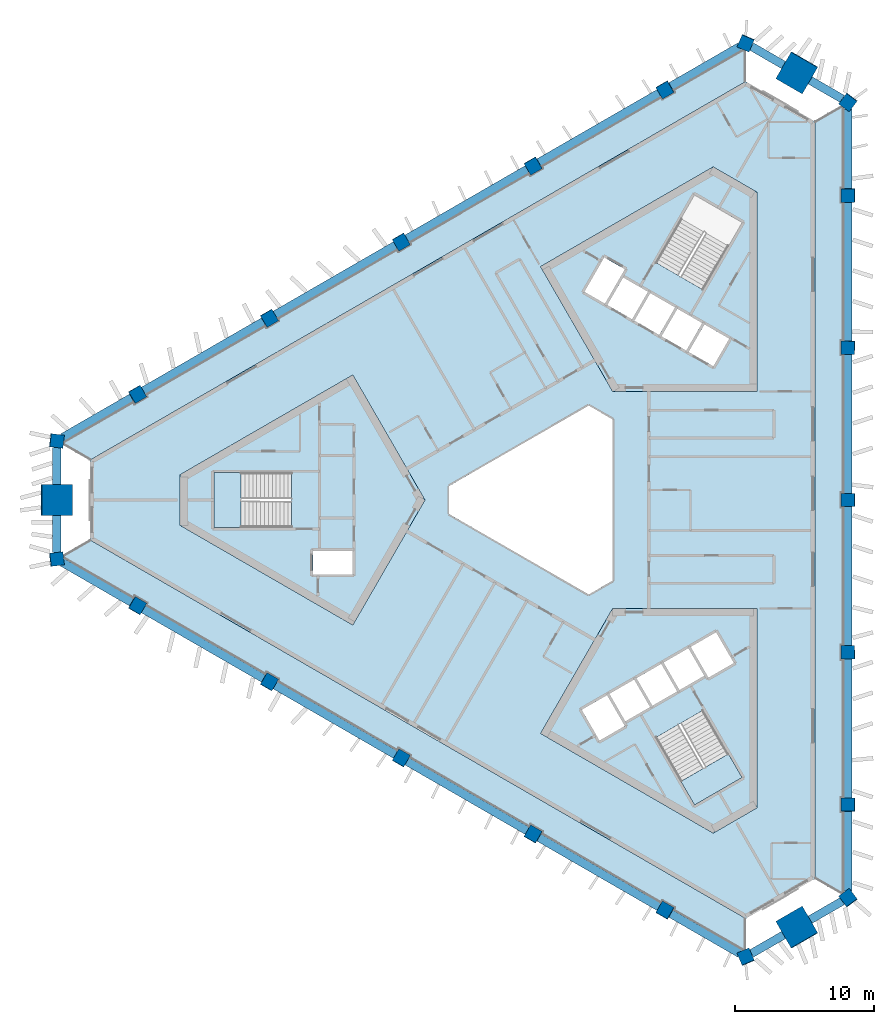
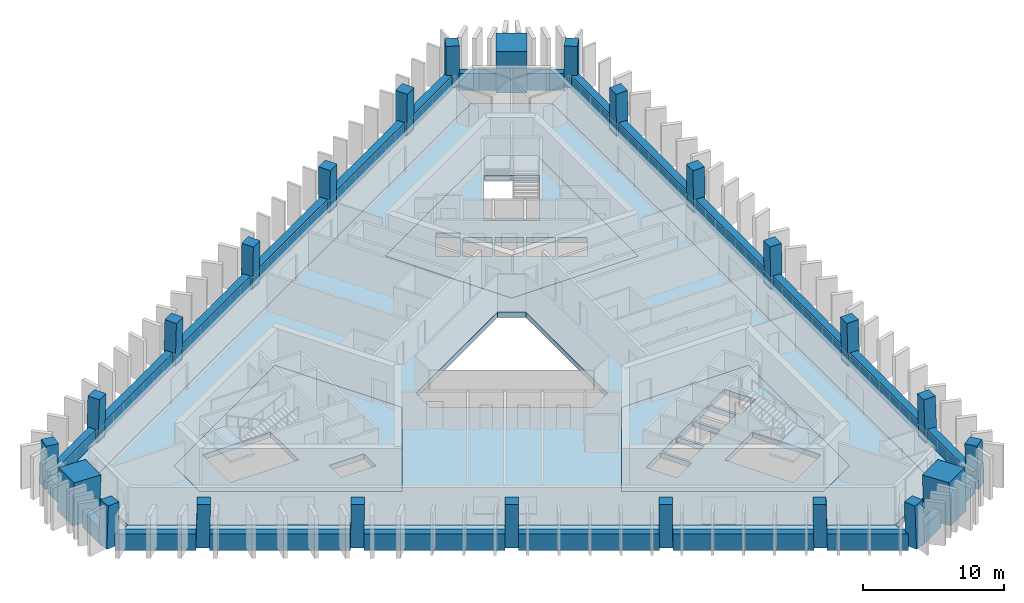
# One storey, part 1 of 10: 24 beams, 24 columns, 9 slabs, 2 elements without a shape of their own.
"""IFC4 building model written with IfcOpenShell, lengths in metres."""

from ifc_helpers import new_model, si_unit, direction, frame, origin, origin_2d, place, context, subcontext, project, spatial, polyline, rectangle, outline, extrude, material, layer, layer_set, material_profile, profile_set, type_object, element, aggregate, save


model = new_model("IFC4")

# Units and contexts
model_context = context("Model", 3, precision=1e-05, world=origin(), true_north=direction((0.0, 1.0)))
body_context = subcontext(model_context, "Body", "Model", "MODEL_VIEW")
ifc_project = project(units=[si_unit("LENGTHUNIT", "METRE"), si_unit("AREAUNIT", "SQUARE_METRE"), si_unit("VOLUMEUNIT", "CUBIC_METRE"), si_unit("PLANEANGLEUNIT", "RADIAN"), si_unit("MASSUNIT", "GRAM", prefix="KILO")], contexts=[model_context])

# Site, building, storey
site_placement = place(None, origin())
site = spatial("IfcSite", under=ifc_project, at=site_placement, CompositionType="ELEMENT")
building_placement = place(site_placement, origin())
building = spatial("IfcBuilding", under=site, at=building_placement, Name="Jabali Bay Hotel Tower and Convention Centre", CompositionType="ELEMENT")
storey_placement = place(building_placement, frame((0.0, 0.0, 160.0)))
storey = spatial("IfcBuildingStorey", under=building, at=storey_placement, Name="L38", CompositionType="ELEMENT", Elevation=160.0)

# Columns
ifc_material_1 = material(Name="Concrete C60", Category="concrete")
ifc_material_profile_1 = material_profile(ifc_material_1, rectangle(XDim=0.949951171875, YDim=0.949951171875, at=origin_2d()), Name="Frame column 950")
ifc_profile_set_1 = profile_set([ifc_material_profile_1], Name="Concrete C60")
column_type_1 = type_object("IfcColumnType", Name="Frame column 950", PredefinedType="COLUMN", material=ifc_profile_set_1)
column_1_placement = place(storey_placement, frame((83.259521484375, 109.508544921875, 0.0), z_axis=(-0.00837646992, -0.028097450282, 0.999570091609), x_axis=(0.86617163682, 0.499292783589, 0.021293469065)))
element("IfcColumn", 1, at=column_1_placement, inside=storey, type_object=column_type_1, Name="FC4 F1.1 L38", PredefinedType="COLUMN", context=body_context, shape_type="SweptSolid", body=[
    extrude(rectangle(XDim=0.949951171875, YDim=0.949951171875, at=origin_2d()), origin(), (0.0, 0.0, 1.0), 3.70166015625),
])
column_2_placement = place(storey_placement, frame((73.7734375, 104.03173828125, 0.0), z_axis=(0.000857578916, -0.022824792675, 0.999739112668), x_axis=(0.866060219769, 0.499825848733, 0.01066848966)))
element("IfcColumn", 2, at=column_2_placement, inside=storey, type_object=column_type_1, Name="FC4 F1.2 L38", PredefinedType="COLUMN", context=body_context, shape_type="SweptSolid", body=[
    extrude(rectangle(XDim=0.949951171875, YDim=0.949951171875, at=origin_2d()), origin(), (0.0, 0.0, 1.0), 3.700927734375),
])
column_3_placement = place(storey_placement, frame((64.287353515625, 98.554931640625, 0.0), z_axis=(0.010093620709, -0.017482414954, 0.999796221231), x_axis=(-0.499897086036, 0.865849517735, 0.020187025824)))
element("IfcColumn", 3, at=column_3_placement, inside=storey, type_object=column_type_1, Name="FC4 F1.3 L38", PredefinedType="COLUMN", context=body_context, shape_type="SweptSolid", body=[
    extrude(rectangle(XDim=0.949951171875, YDim=0.949951171875, at=origin_2d()), origin(), (0.0, 0.0, 1.0), 3.70068359375),
])
column_4_placement = place(storey_placement, frame((54.801025390625, 93.078125, 0.0), z_axis=(0.019328516974, -0.012138044789, 0.999739504221), x_axis=(-0.500208848309, 0.865669585777, 0.020181088508)))
element("IfcColumn", 4, at=column_4_placement, inside=storey, type_object=column_type_1, Name="FC4 F1.4 L38", PredefinedType="COLUMN", context=body_context, shape_type="SweptSolid", body=[
    extrude(rectangle(XDim=0.949951171875, YDim=0.949951171875, at=origin_2d()), origin(), (0.0, 0.0, 1.0), 3.700927734375),
])
for number, where, z_axis, x_axis, name in (
    (5, (45.31494140625, 87.601318359375, 0.0), (0.02855911485, -0.006793507689, 0.999569019734), (-0.500413533487, 0.865551301346, 0.020180194262), "FC4 F1.5 L38"),
    (6, (45.31494140625, 72.398681640625, 0.0), (0.02855911485, 0.006793507689, 0.999569019734), (-0.865315360121, 0.500774193615, 0.021319815836), "FC4 F2.1 L38"),
):
    element("IfcColumn", number, at=place(storey_placement, frame(where, z_axis=z_axis, x_axis=x_axis)), inside=storey, type_object=column_type_1, Name=name, PredefinedType="COLUMN", context=body_context, shape_type="SweptSolid", body=[
        extrude(rectangle(XDim=0.949951171875, YDim=0.949951171875, at=origin_2d()), origin(), (0.0, 0.0, 1.0), 3.70166015625),
    ])
column_5_placement = place(storey_placement, frame((54.801025390625, 66.921875, 0.0), z_axis=(0.019328516974, 0.012138044789, 0.999739504221), x_axis=(-0.865689041461, 0.500468616527, 0.010660551878)))
element("IfcColumn", 7, at=column_5_placement, inside=storey, type_object=column_type_1, Name="FC4 F2.2 L38", PredefinedType="COLUMN", context=body_context, shape_type="SweptSolid", body=[
    extrude(rectangle(XDim=0.949951171875, YDim=0.949951171875, at=origin_2d()), origin(), (0.0, 0.0, 1.0), 3.700927734375),
])
column_6_placement = place(storey_placement, frame((64.287353515625, 61.445068359375, 0.0), z_axis=(0.010093620709, 0.017482414954, 0.999796221231), x_axis=(-0.866025993948, 0.499998977805, 1.48331e-07)))
element("IfcColumn", 8, at=column_6_placement, inside=storey, type_object=column_type_1, Name="FC4 F2.3 L38", PredefinedType="COLUMN", context=body_context, shape_type="SweptSolid", body=[
    extrude(rectangle(XDim=0.949951171875, YDim=0.949951171875, at=origin_2d()), origin(), (0.0, 0.0, 1.0), 3.70068359375),
])
column_7_placement = place(storey_placement, frame((73.7734375, 55.96826171875, 0.0), z_axis=(0.000857578916, 0.022824792675, 0.999739112668), x_axis=(-0.499938956565, -0.865825126557, 0.020196285069)))
element("IfcColumn", 9, at=column_7_placement, inside=storey, type_object=column_type_1, Name="FC4 F2.4 L38", PredefinedType="COLUMN", context=body_context, shape_type="SweptSolid", body=[
    extrude(rectangle(XDim=0.949951171875, YDim=0.949951171875, at=origin_2d()), origin(), (0.0, 0.0, 1.0), 3.700927734375),
])
for number, where, z_axis, x_axis, name in (
    (10, (83.259521484375, 50.491455078125, 0.0), (-0.00837646992, 0.028097450282, 0.999570091609), (-0.49967642562, -0.865977626468, 0.020154903518), "FC4 F2.5 L38"),
    (11, (96.425537109375, 58.0927734375, 0.0), (-0.020182659751, 0.021303918626, 0.999569308901), (0.000228267203, -0.99977282903, 0.021312865295), "FC4 F0.1 L38"),
):
    element("IfcColumn", number, at=place(storey_placement, frame(where, z_axis=z_axis, x_axis=x_axis)), inside=storey, type_object=column_type_1, Name=name, PredefinedType="COLUMN", context=body_context, shape_type="SweptSolid", body=[
        extrude(rectangle(XDim=0.949951171875, YDim=0.949951171875, at=origin_2d()), origin(), (0.0, 0.0, 1.0), 3.70166015625),
    ])
column_8_placement = place(storey_placement, frame((96.425537109375, 69.04638671875, 0.0), z_axis=(-0.020186102726, 0.010620792611, 0.999739826165), x_axis=(0.001532768534, -0.999942070948, 0.010653889845)))
element("IfcColumn", 12, at=column_8_placement, inside=storey, type_object=column_type_1, Name="FC4 F0.2 L38", PredefinedType="COLUMN", context=body_context, shape_type="SweptSolid", body=[
    extrude(rectangle(XDim=0.949951171875, YDim=0.949951171875, at=origin_2d()), origin(), (0.0, 0.0, 1.0), 3.700927734375),
])
column_9_placement = place(storey_placement, frame((96.425537109375, 80.0, 0.0), z_axis=(-0.020187241331, 0.0, 0.99979621688), x_axis=(0.0, -1.0, 0.0)))
element("IfcColumn", 13, at=column_9_placement, inside=storey, type_object=column_type_1, Name="FC4 F0.3 L38", PredefinedType="COLUMN", context=body_context, shape_type="SweptSolid", body=[
    extrude(rectangle(XDim=0.949951171875, YDim=0.949951171875, at=origin_2d()), origin(), (0.0, 0.0, 1.0), 3.70068359375),
])
column_10_placement = place(storey_placement, frame((96.425537109375, 90.95361328125, 0.0), z_axis=(-0.020186102726, -0.010620792611, 0.999739826165), x_axis=(0.999795064939, -0.001747430263, 0.020168654147)))
element("IfcColumn", 14, at=column_10_placement, inside=storey, type_object=column_type_1, Name="FC4 F0.4 L38", PredefinedType="COLUMN", context=body_context, shape_type="SweptSolid", body=[
    extrude(rectangle(XDim=0.949951171875, YDim=0.949951171875, at=origin_2d()), origin(), (0.0, 0.0, 1.0), 3.700927734375),
])
column_11_placement = place(storey_placement, frame((96.425537109375, 101.9072265625, 0.0), z_axis=(-0.020182659751, -0.021303918626, 0.999569308901), x_axis=(0.999796283319, -0.000658319199, 0.020173211851)))
element("IfcColumn", 15, at=column_11_placement, inside=storey, type_object=column_type_1, Name="FC4 F0.5 L38", PredefinedType="COLUMN", context=body_context, shape_type="SweptSolid", body=[
    extrude(rectangle(XDim=0.949951171875, YDim=0.949951171875, at=origin_2d()), origin(), (0.0, 0.0, 1.0), 3.70166015625),
])
for number, where, z_axis, x_axis, name in (
    (16, (96.425537109375, 51.38818359375, 0.0), (-0.02017878048, 0.028949296179, 0.999377183584), (-0.799917418116, -0.60010882849, 0.001232137629), "FC4 V0 L38"),
    (17, (96.425537109375, 108.61181640625, 0.0), (-0.02017878048, -0.028949296179, 0.999377183584), (0.599770740377, 0.799394353382, 0.03526651057), "FC4 V1 L38"),
    (18, (89.06591796875, 112.86083984375, 0.0), (-0.015035173594, -0.031916772016, 0.999377437818), (0.918968245753, -0.39432961562, 0.001231885587), "FC4 V2 L38"),
    (19, (39.508544921875, 84.2490234375, 0.0), (0.03521388716, -0.002967462401, 0.999375393092), (-0.992307157174, 0.118655822236, 0.035317158293), "FC4 V3 L38"),
    (20, (39.508544921875, 75.7509765625, 0.0), (0.03521388716, 0.002967462401, 0.999375393092), (-0.11868651133, 0.992931009696, 0.001233698556), "FC4 V4 L38"),
    (21, (89.06591796875, 47.13916015625, 0.0), (-0.015035173594, 0.031916772016, 0.999377437818), (0.394044803102, -0.918414652491, 0.035259314214), "FC4 V5 L38"),
):
    element("IfcColumn", number, at=place(storey_placement, frame(where, z_axis=z_axis, x_axis=x_axis)), inside=storey, type_object=column_type_1, Name=name, PredefinedType="COLUMN", context=body_context, shape_type="SweptSolid", body=[
        extrude(rectangle(XDim=0.949951171875, YDim=0.949951171875, at=origin_2d()), origin(), (0.0, 0.0, 1.0), 3.7021484375),
    ])
ifc_material_2 = material(Name="Concrete C70", Category="concrete")
ifc_material_profile_2 = material_profile(ifc_material_2, rectangle(XDim=2.199951171875, YDim=2.199951171875, at=origin_2d()), Name="Mega column 2200")
ifc_profile_set_2 = profile_set([ifc_material_profile_2], Name="Concrete C70")
column_type_2 = type_object("IfcColumnType", Name="Mega column 2200", PredefinedType="COLUMN", material=ifc_profile_set_2)
for number, where, z_axis, x_axis, name in (
    (22, (92.74560546875, 110.736328125, 0.0), (-0.017607037296, -0.030466109479, 0.999380712447), (0.500067085975, 0.865271470658, 0.035187946645), "MC4 M1 L38"),
    (23, (39.508544921875, 80.0, 0.0), (0.035214042205, 0.0, 0.999379793288), (0.0, 1.0, 0.0), "MC4 M0 L38"),
    (24, (92.74560546875, 49.263671875, 0.0), (-0.017607037296, 0.030466109479, 0.999380712447), (-0.865807658641, -0.500376956142, 2.31533e-07), "MC4 M2 L38"),
):
    element("IfcColumn", number, at=place(storey_placement, frame(where, z_axis=z_axis, x_axis=x_axis)), inside=storey, type_object=column_type_2, Name=name, PredefinedType="COLUMN", context=body_context, shape_type="SweptSolid", body=[
        extrude(rectangle(XDim=2.199951171875, YDim=2.199951171875, at=origin_2d()), origin(), (0.0, 0.0, 1.0), 3.7021484375),
    ])

# Beams
ifc_material_profile_3 = material_profile(ifc_material_1, rectangle(XDim=0.60009765625, YDim=1.449951171875, at=origin_2d()), Name="Spandrel 600x1450")
ifc_profile_set_3 = profile_set([ifc_material_profile_3], Name="Concrete C60")
beam_type = type_object("IfcBeamType", Name="Spandrel 600x1450", PredefinedType="SPANDREL", material=ifc_profile_set_3)
beam_1_placement = place(storey_placement, frame((91.786376953125, 111.27490234375, 0.375), z_axis=(-0.866019783401, 0.500009734663, 0.0), x_axis=(-0.500009734663, -0.866019783401, 0.0)))
element("IfcBeam", 25, at=beam_1_placement, inside=storey, type_object=beam_type, Name="Spandrel M1-V2 L38", PredefinedType="SPANDREL", context=body_context, shape_type="SweptSolid", body=[
    extrude(rectangle(XDim=0.60009765625, YDim=1.449951171875, at=origin_2d()), origin(), (0.0, 0.0, 1.0), 2.6728515625),
])
beam_2_placement = place(storey_placement, frame((88.64892578125, 112.611328125, 0.375), z_axis=(-0.866037856685, -0.499978430324, 0.0), x_axis=(0.499978430324, -0.866037856685, 0.0)))
element("IfcBeam", 26, at=beam_2_placement, inside=storey, type_object=beam_type, Name="Spandrel V2-F1.1 L38", PredefinedType="SPANDREL", context=body_context, shape_type="SweptSolid", body=[
    extrude(rectangle(XDim=0.60009765625, YDim=1.449951171875, at=origin_2d()), origin(), (0.0, 0.0, 1.0), 5.751708984375),
])
for number, where, z_axis, x_axis, name in (
    (27, (82.844970703125, 109.260498046875, 0.375), (-0.866027427249, -0.49999649524, 0.0), (0.49999649524, -0.866027427249, 0.0), "Spandrel F1.1-F1.2 L38"),
    (28, (73.3623046875, 103.78564453125, 0.375), (-0.866027427249, -0.49999649524, 0.0), (0.49999649524, -0.866027427249, 0.0), "Spandrel F1.2-F1.3 L38"),
):
    element("IfcBeam", number, at=place(storey_placement, frame(where, z_axis=z_axis, x_axis=x_axis)), inside=storey, type_object=beam_type, Name=name, PredefinedType="SPANDREL", context=body_context, shape_type="SweptSolid", body=[
        extrude(rectangle(XDim=0.60009765625, YDim=1.449951171875, at=origin_2d()), origin(), (0.0, 0.0, 1.0), 9.99951171875),
    ])
for number, where, z_axis, x_axis, name in (
    (29, (63.879638671875, 98.31103515625, 0.375), (-0.866016855193, -0.500014806302, 0.0), (0.500014806302, -0.866016855193, 0.0), "Spandrel F1.3-F1.4 L38"),
    (30, (54.39697265625, 92.836181640625, 0.375), (-0.866016855193, -0.500014806302, 0.0), (0.500014806302, -0.866016855193, 0.0), "Spandrel F1.4-F1.5 L38"),
):
    element("IfcBeam", number, at=place(storey_placement, frame(where, z_axis=z_axis, x_axis=x_axis)), inside=storey, type_object=beam_type, Name=name, PredefinedType="SPANDREL", context=body_context, shape_type="SweptSolid", body=[
        extrude(rectangle(XDim=0.60009765625, YDim=1.449951171875, at=origin_2d()), origin(), (0.0, 0.0, 1.0), 9.999755859375),
    ])
beam_3_placement = place(storey_placement, frame((44.914306640625, 87.361328125, 0.375), z_axis=(-0.866019477104, -0.500010265171, 0.0), x_axis=(0.500010265171, -0.866019477104, 0.0)))
element("IfcBeam", 31, at=beam_3_placement, inside=storey, type_object=beam_type, Name="Spandrel F1.5-V3 L38", PredefinedType="SPANDREL", context=body_context, shape_type="SweptSolid", body=[
    extrude(rectangle(XDim=0.60009765625, YDim=1.449951171875, at=origin_2d()), origin(), (0.0, 0.0, 1.0), 5.751953125),
])
for number, where, z_axis, x_axis, name in (
    (32, (39.521728515625, 83.77294921875, 0.375), (0.0, -1.0, 0.0), (1.0, 0.0, 0.0), "Spandrel V3-M0 L38"),
    (33, (39.521728515625, 78.89990234375, 0.375), (0.0, -1.0, 0.0), (1.0, 0.0, 0.0), "Spandrel M0-V4 L38"),
):
    element("IfcBeam", number, at=place(storey_placement, frame(where, z_axis=z_axis, x_axis=x_axis)), inside=storey, type_object=beam_type, Name=name, PredefinedType="SPANDREL", context=body_context, shape_type="SweptSolid", body=[
        extrude(rectangle(XDim=0.60009765625, YDim=1.449951171875, at=origin_2d()), origin(), (0.0, 0.0, 1.0), 2.6728515625),
    ])
beam_4_placement = place(storey_placement, frame((39.93310546875, 75.5146484375, 0.375), z_axis=(0.866019477104, -0.500010265171, 0.0), x_axis=(0.500010265171, 0.866019477104, 0.0)))
element("IfcBeam", 34, at=beam_4_placement, inside=storey, type_object=beam_type, Name="Spandrel V4-F2.1 L38", PredefinedType="SPANDREL", context=body_context, shape_type="SweptSolid", body=[
    extrude(rectangle(XDim=0.60009765625, YDim=1.449951171875, at=origin_2d()), origin(), (0.0, 0.0, 1.0), 5.751953125),
])
for number, where, z_axis, x_axis, name in (
    (35, (45.737060546875, 72.163818359375, 0.375), (0.866016855193, -0.500014806302, 0.0), (0.500014806302, 0.866016855193, 0.0), "Spandrel F2.1-F2.2 L38"),
    (36, (55.2197265625, 66.68896484375, 0.375), (0.866016855193, -0.500014806302, 0.0), (0.500014806302, 0.866016855193, 0.0), "Spandrel F2.2-F2.3 L38"),
):
    element("IfcBeam", number, at=place(storey_placement, frame(where, z_axis=z_axis, x_axis=x_axis)), inside=storey, type_object=beam_type, Name=name, PredefinedType="SPANDREL", context=body_context, shape_type="SweptSolid", body=[
        extrude(rectangle(XDim=0.60009765625, YDim=1.449951171875, at=origin_2d()), origin(), (0.0, 0.0, 1.0), 9.999755859375),
    ])
for number, where, z_axis, x_axis, name in (
    (37, (64.702392578125, 61.214111328125, 0.375), (0.866027427249, -0.49999649524, 0.0), (0.49999649524, 0.866027427249, 0.0), "Spandrel F2.3-F2.4 L38"),
    (38, (74.18505859375, 55.7392578125, 0.375), (0.866027427249, -0.49999649524, 0.0), (0.49999649524, 0.866027427249, 0.0), "Spandrel F2.4-F2.5 L38"),
):
    element("IfcBeam", number, at=place(storey_placement, frame(where, z_axis=z_axis, x_axis=x_axis)), inside=storey, type_object=beam_type, Name=name, PredefinedType="SPANDREL", context=body_context, shape_type="SweptSolid", body=[
        extrude(rectangle(XDim=0.60009765625, YDim=1.449951171875, at=origin_2d()), origin(), (0.0, 0.0, 1.0), 9.99951171875),
    ])
beam_5_placement = place(storey_placement, frame((83.667724609375, 50.264404296875, 0.375), z_axis=(0.866037856685, -0.499978430324, 0.0), x_axis=(0.499978430324, 0.866037856685, 0.0)))
element("IfcBeam", 39, at=beam_5_placement, inside=storey, type_object=beam_type, Name="Spandrel F2.5-V5 L38", PredefinedType="SPANDREL", context=body_context, shape_type="SweptSolid", body=[
    extrude(rectangle(XDim=0.60009765625, YDim=1.449951171875, at=origin_2d()), origin(), (0.0, 0.0, 1.0), 5.751708984375),
])
beam_6_placement = place(storey_placement, frame((89.4716796875, 47.388671875, 0.375), z_axis=(0.866019783401, 0.500009734663, 0.0), x_axis=(-0.500009734663, 0.866019783401, 0.0)))
element("IfcBeam", 40, at=beam_6_placement, inside=storey, type_object=beam_type, Name="Spandrel V5-M2 L38", PredefinedType="SPANDREL", context=body_context, shape_type="SweptSolid", body=[
    extrude(rectangle(XDim=0.60009765625, YDim=1.449951171875, at=origin_2d()), origin(), (0.0, 0.0, 1.0), 2.6728515625),
])
beam_7_placement = place(storey_placement, frame((93.691650390625, 49.824951171875, 0.375), z_axis=(0.866042617247, 0.499970184224, 0.0), x_axis=(-0.499970184224, 0.866042617247, 0.0)))
element("IfcBeam", 41, at=beam_7_placement, inside=storey, type_object=beam_type, Name="Spandrel M2-V0 L38", PredefinedType="SPANDREL", context=body_context, shape_type="SweptSolid", body=[
    extrude(rectangle(XDim=0.60009765625, YDim=1.449951171875, at=origin_2d()), origin(), (0.0, 0.0, 1.0), 2.673095703125),
])
beam_8_placement = place(storey_placement, frame((96.41796875, 51.8740234375, 0.375), z_axis=(0.0, 1.0, 0.0), x_axis=(-1.0, 0.0, 0.0)))
element("IfcBeam", 42, at=beam_8_placement, inside=storey, type_object=beam_type, Name="Spandrel V0-F0.1 L38", PredefinedType="SPANDREL", context=body_context, shape_type="SweptSolid", body=[
    extrude(rectangle(XDim=0.60009765625, YDim=1.449951171875, at=origin_2d()), origin(), (0.0, 0.0, 1.0), 5.751708984375),
])
beam_9_placement = place(storey_placement, frame((96.41796875, 58.57568359375, 0.375), z_axis=(0.0, 1.0, 0.0), x_axis=(-1.0, 0.0, 0.0)))
element("IfcBeam", 43, at=beam_9_placement, inside=storey, type_object=beam_type, Name="Spandrel F0.1-F0.2 L38", PredefinedType="SPANDREL", context=body_context, shape_type="SweptSolid", body=[
    extrude(rectangle(XDim=0.60009765625, YDim=1.449951171875, at=origin_2d()), origin(), (0.0, 0.0, 1.0), 9.999755859375),
])
for number, where, z_axis, x_axis, name in (
    (44, (96.41796875, 69.525390625, 0.375), (0.0, 1.0, 0.0), (-1.0, 0.0, 0.0), "Spandrel F0.2-F0.3 L38"),
    (45, (96.41796875, 80.47509765625, 0.375), (0.0, 1.0, 0.0), (-1.0, 0.0, 0.0), "Spandrel F0.3-F0.4 L38"),
):
    element("IfcBeam", number, at=place(storey_placement, frame(where, z_axis=z_axis, x_axis=x_axis)), inside=storey, type_object=beam_type, Name=name, PredefinedType="SPANDREL", context=body_context, shape_type="SweptSolid", body=[
        extrude(rectangle(XDim=0.60009765625, YDim=1.449951171875, at=origin_2d()), origin(), (0.0, 0.0, 1.0), 9.99951171875),
    ])
beam_10_placement = place(storey_placement, frame((96.41796875, 91.424560546875, 0.375), z_axis=(0.0, 1.0, 0.0), x_axis=(-1.0, 0.0, 0.0)))
element("IfcBeam", 46, at=beam_10_placement, inside=storey, type_object=beam_type, Name="Spandrel F0.4-F0.5 L38", PredefinedType="SPANDREL", context=body_context, shape_type="SweptSolid", body=[
    extrude(rectangle(XDim=0.60009765625, YDim=1.449951171875, at=origin_2d()), origin(), (0.0, 0.0, 1.0), 9.999755859375),
])
beam_11_placement = place(storey_placement, frame((96.41796875, 102.374267578125, 0.375), z_axis=(0.0, 1.0, 0.0), x_axis=(-1.0, 0.0, 0.0)))
element("IfcBeam", 47, at=beam_11_placement, inside=storey, type_object=beam_type, Name="Spandrel F0.5-V1 L38", PredefinedType="SPANDREL", context=body_context, shape_type="SweptSolid", body=[
    extrude(rectangle(XDim=0.60009765625, YDim=1.449951171875, at=origin_2d()), origin(), (0.0, 0.0, 1.0), 5.751708984375),
])
beam_12_placement = place(storey_placement, frame((96.006591796875, 108.838623046875, 0.375), z_axis=(-0.866042617247, 0.499970184224, 0.0), x_axis=(-0.499970184224, -0.866042617247, 0.0)))
element("IfcBeam", 48, at=beam_12_placement, inside=storey, type_object=beam_type, Name="Spandrel V1-M1 L38", PredefinedType="SPANDREL", context=body_context, shape_type="SweptSolid", body=[
    extrude(rectangle(XDim=0.60009765625, YDim=1.449951171875, at=origin_2d()), origin(), (0.0, 0.0, 1.0), 2.673095703125),
])

# Slabs
ifc_material_3 = material(Name="Concrete C40", Category="concrete")
ifc_layer_1 = layer(ifc_material_3, 0.449951171875)
ifc_layer_set_1 = layer_set([ifc_layer_1], Name="Concrete C40")
slab_type_1 = type_object("IfcSlabType", Name="Core floor slab 450", PredefinedType="FLOOR", material=ifc_layer_set_1)
slab_1_placement = place(storey_placement, frame((0.0, 0.0, -0.449951171875)))
element("IfcSlab", 49, at=slab_1_placement, inside=storey, type_object=slab_type_1, Name="Core floor slab 1 L38", PredefinedType="FLOOR", context=body_context, shape_type="SweptSolid", body=[
    extrude(outline(polyline([(66.0, 80.0), (60.81005859375, 88.9892578125), (48.39697265625, 81.82275390625), (48.39697265625, 78.17724609375), (60.81005859375, 71.0107421875), (66.0, 80.0)]), holes=[polyline([(60.800048828125, 76.35009765625), (57.949951171875, 76.35009765625), (57.949951171875, 74.64990234375), (60.800048828125, 74.64990234375), (60.800048828125, 76.35009765625)]), polyline([(50.820068359375, 81.97509765625), (50.820068359375, 78.02490234375), (56.409912109375, 78.02490234375), (56.409912109375, 81.97509765625), (50.820068359375, 81.97509765625)])]), origin(), (0.0, 0.0, 1.0), 0.449951171875),
])
slab_2_placement = place(storey_placement, frame((0.0, 0.0, -0.449951171875)))
element("IfcSlab", 50, at=slab_2_placement, inside=storey, type_object=slab_type_1, Name="Core floor slab 2 L38", PredefinedType="FLOOR", context=body_context, shape_type="SweptSolid", body=[
    extrude(outline(polyline([(79.5, 87.794189453125), (89.8798828125, 87.794189453125), (89.8798828125, 102.127685546875), (86.72314453125, 103.9501953125), (74.31005859375, 96.78369140625), (79.5, 87.794189453125)]), holes=[polyline([(84.957763671875, 90.6474609375), (86.733154296875, 89.62255859375), (87.873291015625, 91.59716796875), (86.097900390625, 92.6220703125), (84.957763671875, 90.6474609375)]), polyline([(84.1494140625, 93.7470703125), (83.00927734375, 91.7724609375), (84.78466796875, 90.74755859375), (85.924560546875, 92.72216796875), (84.1494140625, 93.7470703125)]), polyline([(82.20068359375, 94.8720703125), (81.060791015625, 92.8974609375), (82.836181640625, 91.87255859375), (83.97607421875, 93.84716796875), (82.20068359375, 94.8720703125)]), polyline([(79.1123046875, 94.0224609375), (80.887451171875, 92.99755859375), (82.027587890625, 94.97216796875), (80.252197265625, 95.9970703125), (79.1123046875, 94.0224609375)]), polyline([(78.891845703125, 97.440673828125), (77.466796875, 94.97265625), (78.93896484375, 94.12255859375), (80.364013671875, 96.5908203125), (78.891845703125, 97.440673828125)]), polyline([(82.584716796875, 97.0869140625), (86.00537109375, 95.11181640625), (88.80029296875, 99.952880859375), (85.379638671875, 101.927978515625), (82.584716796875, 97.0869140625)])]), origin(), (0.0, 0.0, 1.0), 0.449951171875),
])
slab_3_placement = place(storey_placement, frame((0.0, 0.0, -0.449951171875)))
element("IfcSlab", 51, at=slab_3_placement, inside=storey, type_object=slab_type_1, Name="Core floor slab 3 L38", PredefinedType="FLOOR", context=body_context, shape_type="SweptSolid", body=[
    extrude(outline(polyline([(79.5, 72.205810546875), (74.31005859375, 63.21630859375), (86.72314453125, 56.0498046875), (89.8798828125, 57.872314453125), (89.8798828125, 72.205810546875), (79.5, 72.205810546875)]), holes=[polyline([(82.584716796875, 62.9130859375), (85.379638671875, 58.072021484375), (88.80029296875, 60.047119140625), (86.00537109375, 64.88818359375), (82.584716796875, 62.9130859375)]), polyline([(80.365478515625, 63.756591796875), (79.090576171875, 65.96484375), (77.27197265625, 64.9150390625), (78.546875, 62.70654296875), (80.365478515625, 63.756591796875)]), polyline([(82.17919921875, 65.115478515625), (81.0390625, 67.08984375), (79.263671875, 66.06494140625), (80.40380859375, 64.09033203125), (82.17919921875, 65.115478515625)]), polyline([(82.98779296875, 68.21484375), (81.21240234375, 67.18994140625), (82.352294921875, 65.21533203125), (84.127685546875, 66.240478515625), (82.98779296875, 68.21484375)]), polyline([(86.076171875, 67.365478515625), (84.936279296875, 69.33984375), (83.160888671875, 68.31494140625), (84.30078125, 66.34033203125), (86.076171875, 67.365478515625)]), polyline([(88.203125, 68.281494140625), (86.927978515625, 70.489990234375), (85.109375, 69.43994140625), (86.384521484375, 67.231689453125), (88.203125, 68.281494140625)])]), origin(), (0.0, 0.0, 1.0), 0.449951171875),
])
ifc_layer_2 = layer(ifc_material_3, 0.199951171875)
ifc_layer_set_2 = layer_set([ifc_layer_2], Name="Concrete C40")
slab_type_2 = type_object("IfcSlabType", Name="Loggia slab 200", PredefinedType="FLOOR", material=ifc_layer_set_2)
slab_4_placement = place(storey_placement, frame((0.0, 0.0, -0.199951171875)))
element("IfcSlab", 52, at=slab_4_placement, inside=storey, type_object=slab_type_2, Name="Loggia slab east face L38", PredefinedType="FLOOR", context=body_context, shape_type="SweptSolid", body=[
    extrude(outline(polyline([(94.025390625, 107.226318359375), (95.97802734375, 108.353515625), (96.12548828125, 108.2431640625), (96.12548828125, 102.38232421875), (95.950439453125, 102.38232421875), (95.950439453125, 101.432373046875), (96.12548828125, 101.432373046875), (96.12548828125, 91.4287109375), (95.950439453125, 91.4287109375), (95.950439453125, 90.478759765625), (96.12548828125, 90.478759765625), (96.12548828125, 80.47509765625), (95.950439453125, 80.47509765625), (95.950439453125, 79.52490234375), (96.12548828125, 79.52490234375), (96.12548828125, 69.521240234375), (95.950439453125, 69.521240234375), (95.950439453125, 68.5712890625), (96.12548828125, 68.5712890625), (96.12548828125, 58.567626953125), (95.950439453125, 58.567626953125), (95.950439453125, 57.61767578125), (96.12548828125, 57.61767578125), (96.12548828125, 51.7568359375), (95.97802734375, 51.646484375), (94.025390625, 52.773681640625), (94.025390625, 107.226318359375)])), origin(), (0.0, 0.0, 1.0), 0.199951171875),
])
slab_5_placement = place(storey_placement, frame((0.0, 0.0, -0.199951171875)))
element("IfcSlab", 53, at=slab_5_placement, inside=storey, type_object=slab_type_2, Name="Loggia slab north-west face L38", PredefinedType="FLOOR", context=body_context, shape_type="SweptSolid", body=[
    extrude(outline(polyline([(41.90869140625, 82.86328125), (39.9560546875, 83.99072265625), (39.97802734375, 84.173583984375), (45.0537109375, 87.10400390625), (45.14111328125, 86.952392578125), (45.9638671875, 87.427490234375), (45.87646484375, 87.5791015625), (54.539794921875, 92.580810546875), (54.627197265625, 92.42919921875), (55.449951171875, 92.904296875), (55.362548828125, 93.055908203125), (64.02587890625, 98.0576171875), (64.113525390625, 97.906005859375), (64.93603515625, 98.381103515625), (64.8486328125, 98.53271484375), (73.511962890625, 103.534423828125), (73.599609375, 103.3828125), (74.42236328125, 103.85791015625), (74.334716796875, 104.009521484375), (82.998291015625, 109.01123046875), (83.085693359375, 108.85986328125), (83.908447265625, 109.334716796875), (83.82080078125, 109.486328125), (88.896484375, 112.416748046875), (89.06591796875, 112.34423828125), (89.06591796875, 110.089599609375), (41.90869140625, 82.86328125)])), origin(), (0.0, 0.0, 1.0), 0.199951171875),
])
slab_6_placement = place(storey_placement, frame((0.0, 0.0, -0.199951171875)))
element("IfcSlab", 54, at=slab_6_placement, inside=storey, type_object=slab_type_2, Name="Loggia slab south-west face L38", PredefinedType="FLOOR", context=body_context, shape_type="SweptSolid", body=[
    extrude(outline(polyline([(89.06591796875, 49.910400390625), (89.06591796875, 47.65576171875), (88.896484375, 47.583251953125), (83.82080078125, 50.513671875), (83.908447265625, 50.665283203125), (83.085693359375, 51.14013671875), (82.998291015625, 50.98876953125), (74.334716796875, 55.990478515625), (74.42236328125, 56.14208984375), (73.599609375, 56.6171875), (73.511962890625, 56.465576171875), (64.8486328125, 61.46728515625), (64.93603515625, 61.618896484375), (64.113525390625, 62.093994140625), (64.02587890625, 61.9423828125), (55.362548828125, 66.944091796875), (55.449951171875, 67.095703125), (54.627197265625, 67.57080078125), (54.539794921875, 67.419189453125), (45.87646484375, 72.4208984375), (45.9638671875, 72.572509765625), (45.14111328125, 73.047607421875), (45.0537109375, 72.89599609375), (39.97802734375, 75.826416015625), (39.9560546875, 76.00927734375), (41.90869140625, 77.13671875), (89.06591796875, 49.910400390625)])), origin(), (0.0, 0.0, 1.0), 0.199951171875),
])
ifc_layer_3 = layer(ifc_material_3, 0.449951171875)
ifc_layer_set_3 = layer_set([ifc_layer_3], Name="Concrete C40")
slab_type_3 = type_object("IfcSlabType", Name="Post-tensioned flat slab 450", PredefinedType="FLOOR", material=ifc_layer_set_3)
slab_7_placement = place(storey_placement, frame((0.0, 0.0, -0.449951171875)))
element("IfcSlab", 55, at=slab_7_placement, inside=storey, type_object=slab_type_3, Name="Floor slab L38", PredefinedType="FLOOR", context=body_context, shape_type="SweptSolid", body=[
    extrude(outline(polyline([(89.06591796875, 110.089599609375), (94.025390625, 107.226318359375), (94.025390625, 52.773681640625), (89.06591796875, 49.910400390625), (41.90869140625, 77.13671875), (41.90869140625, 82.86328125), (89.06591796875, 110.089599609375)]), holes=[polyline([(67.73193359375, 79.0), (77.76806640625, 73.205810546875), (79.5, 74.205810546875), (79.5, 85.794189453125), (77.76806640625, 86.794189453125), (67.73193359375, 81.0), (67.73193359375, 79.0)]), polyline([(48.39697265625, 78.17724609375), (60.81005859375, 71.0107421875), (66.0, 80.0), (60.81005859375, 88.9892578125), (48.39697265625, 81.82275390625), (48.39697265625, 78.17724609375)]), polyline([(89.8798828125, 102.127685546875), (86.72314453125, 103.9501953125), (74.31005859375, 96.78369140625), (79.5, 87.794189453125), (89.8798828125, 87.794189453125), (89.8798828125, 102.127685546875)]), polyline([(74.31005859375, 63.21630859375), (86.72314453125, 56.0498046875), (89.8798828125, 57.872314453125), (89.8798828125, 72.205810546875), (79.5, 72.205810546875), (74.31005859375, 63.21630859375)])]), origin(), (0.0, 0.0, 1.0), 0.449951171875),
])

# Stair, slab
stair_type = type_object("IfcStairType", Name="Exit stair 1900", PredefinedType="HALF_TURN_STAIR", material=ifc_material_3)
stair_1_placement = place(storey_placement, origin())
stair_1 = element("IfcStair", 56, at=stair_1_placement, inside=storey, type_object=stair_type, Name="L38 Exit Stair 1", PredefinedType="HALF_TURN_STAIR")
ifc_layer_4 = layer(ifc_material_3, 0.199951171875)
ifc_layer_set_4 = layer_set([ifc_layer_4], Name="Concrete C40")
slab_type_4 = type_object("IfcSlabType", Name="Stair landing 200", PredefinedType="LANDING", material=ifc_layer_set_4)
slab_8_placement = place(storey_placement, frame((0.0, 0.0, 1.64990234375)))
slab_8 = element("IfcSlab", 57, at=slab_8_placement, type_object=slab_type_4, Name="ST1 landing 1", PredefinedType="LANDING", context=body_context, shape_type="SweptSolid", body=[
    extrude(outline(polyline([(52.782958984375, 81.97509765625), (50.820068359375, 81.97509765625), (50.820068359375, 78.02490234375), (52.782958984375, 78.02490234375), (52.782958984375, 81.97509765625)])), origin(), (0.0, 0.0, 1.0), 0.2001953125),
])
aggregate(stair_1, [slab_8])

stair_2_placement = place(storey_placement, origin())
stair_2 = element("IfcStair", 58, at=stair_2_placement, inside=storey, type_object=stair_type, Name="L38 Exit Stair 3", PredefinedType="HALF_TURN_STAIR")
slab_9_placement = place(storey_placement, frame((0.0, 0.0, 1.64990234375)))
slab_9 = element("IfcSlab", 59, at=slab_9_placement, type_object=slab_type_4, Name="ST3 landing 1", PredefinedType="LANDING", context=body_context, shape_type="SweptSolid", body=[
    extrude(outline(polyline([(84.398193359375, 59.77197265625), (85.379638671875, 58.072021484375), (88.80029296875, 60.047119140625), (87.81884765625, 61.7470703125), (84.398193359375, 59.77197265625)])), origin(), (0.0, 0.0, 1.0), 0.2001953125),
])
aggregate(stair_2, [slab_9])

save(model, "model.ifc")
